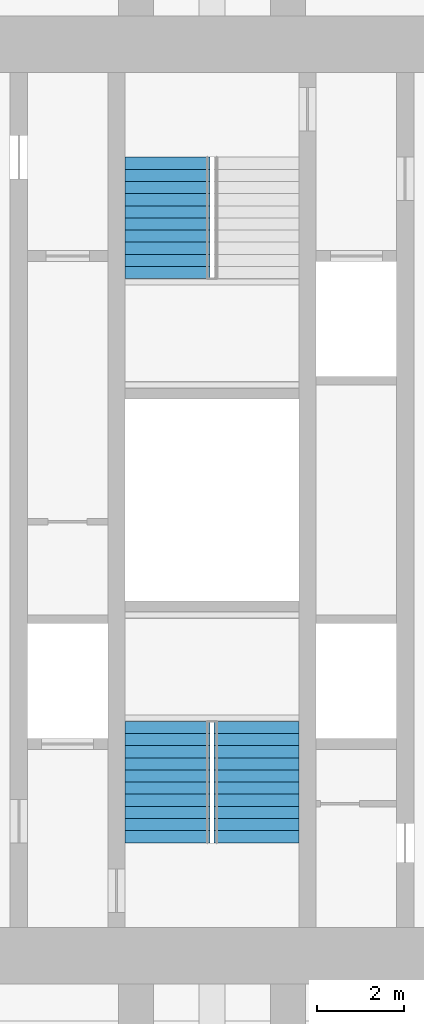
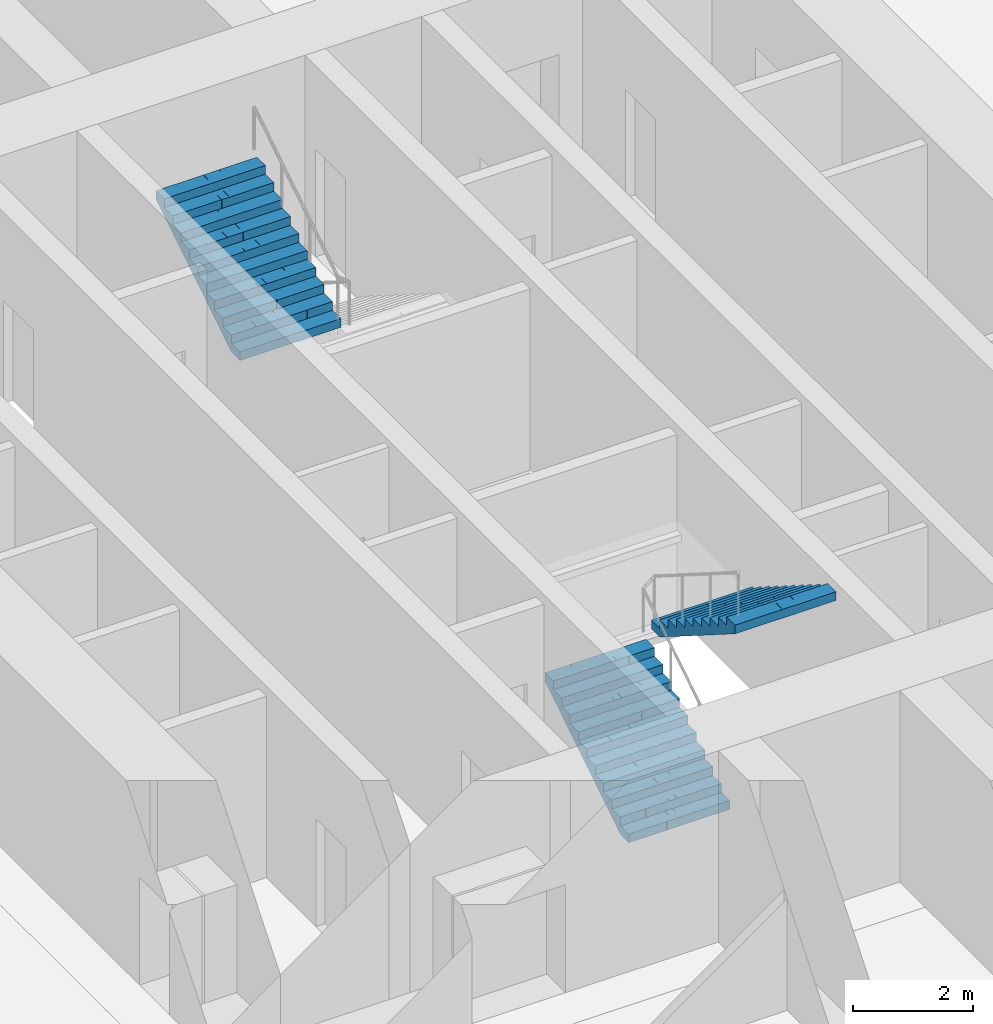
# One storey, part 20 of 22: 3 stair flights, 2 elements without a shape of their own.
"""IFC4 building model written with IfcOpenShell, lengths in metres."""

from ifc_helpers import new_model, si_unit, direction, frame, origin, place, context, subcontext, project, spatial, polyline, outline, extrude, material, type_object, element, aggregate, save


model = new_model("IFC4")

# Units and contexts
model_context = context("Model", 3, precision=1e-05, world=origin(), true_north=direction((0.0, 1.0)))
body_context = subcontext(model_context, "Body", "Model", "MODEL_VIEW")
ifc_project = project(units=[si_unit("LENGTHUNIT", "METRE"), si_unit("AREAUNIT", "SQUARE_METRE"), si_unit("VOLUMEUNIT", "CUBIC_METRE"), si_unit("PLANEANGLEUNIT", "RADIAN"), si_unit("MASSUNIT", "GRAM", prefix="KILO")], contexts=[model_context])

# Site, building, storey
site_placement = place(None, origin())
site = spatial("IfcSite", under=ifc_project, at=site_placement, CompositionType="ELEMENT")
building_placement = place(site_placement, origin())
building = spatial("IfcBuilding", under=site, at=building_placement, Name="Mizan Broadcast Tower", CompositionType="ELEMENT")
storey_placement = place(building_placement, frame((0.0, 0.0, 94.199951171875)))
storey = spatial("IfcBuildingStorey", under=building, at=storey_placement, Name="L20", CompositionType="ELEMENT", Elevation=94.199951171875)

# Stair, stair flights
ifc_material_1 = material(Name="Concrete C40/50", Category="concrete")
stair_type = type_object("IfcStairType", Name="EXIT STAIR", PredefinedType="HALF_TURN_STAIR", material=ifc_material_1)
stair_1_placement = place(storey_placement, origin())
stair_1 = element("IfcStair", 1, at=stair_1_placement, inside=storey, type_object=stair_type, Name="Stair A L20", PredefinedType="HALF_TURN_STAIR")
ifc_material_2 = material(Name="Concrete C40/50", Category="concrete")
stair_flight_type = type_object("IfcStairFlightType", Name="EXIT STAIR FLIGHT", PredefinedType="STRAIGHT", material=ifc_material_2)
stair_flight_1_placement = place(storey_placement, frame((-1.02490234375, -7.89990234375, 0.0), z_axis=(0.0, 0.0, 1.0), x_axis=(0.0, 1.0, 0.0)))
stair_flight_1 = element("IfcStairFlight", 2, at=stair_flight_1_placement, type_object=stair_flight_type, Name="A flight 1", NumberOfRisers=11, NumberOfTreads=10, PredefinedType="STRAIGHT", RiserHeight=0.177272727, TreadLength=0.28, context=body_context, shape_type="SweptSolid", body=[
    extrude(outline(polyline([(0.0, 0.0), (0.0, 0.17724609375), (0.280029296875, 0.17724609375), (0.280029296875, 0.3544921875), (0.56005859375, 0.3544921875), (0.56005859375, 0.53173828125), (0.840087890625, 0.53173828125), (0.840087890625, 0.708984375), (1.1201171875, 0.708984375), (1.1201171875, 0.886474609375), (1.39990234375, 0.886474609375), (1.39990234375, 1.063720703125), (1.679931640625, 1.063720703125), (1.679931640625, 1.240966796875), (1.9599609375, 1.240966796875), (1.9599609375, 1.418212890625), (2.239990234375, 1.418212890625), (2.239990234375, 1.595458984375), (2.52001953125, 1.595458984375), (2.52001953125, 1.772705078125), (2.800048828125, 1.772705078125), (2.800048828125, 1.949951171875), (2.800048828125, 1.59521484375), (0.2802734375, 0.0), (0.0, 0.0)])), frame((0.0, 0.97509765625, 0.0), z_axis=(0.0, -1.0, 0.0), x_axis=(1.0, 0.0, 0.0)), (0.0, 0.0, 1.0), 0.4873046875),
    extrude(outline(polyline([(0.0, 0.0), (0.0, 0.17724609375), (0.280029296875, 0.17724609375), (0.280029296875, 0.3544921875), (0.56005859375, 0.3544921875), (0.56005859375, 0.53173828125), (0.840087890625, 0.53173828125), (0.840087890625, 0.708984375), (1.1201171875, 0.708984375), (1.1201171875, 0.886474609375), (1.39990234375, 0.886474609375), (1.39990234375, 1.063720703125), (1.679931640625, 1.063720703125), (1.679931640625, 1.240966796875), (1.9599609375, 1.240966796875), (1.9599609375, 1.418212890625), (2.239990234375, 1.418212890625), (2.239990234375, 1.595458984375), (2.52001953125, 1.595458984375), (2.52001953125, 1.772705078125), (2.800048828125, 1.772705078125), (2.800048828125, 1.949951171875), (2.800048828125, 1.59521484375), (0.2802734375, 0.0), (0.0, 0.0)])), frame((0.0, 0.4873046875, 0.0), z_axis=(0.0, -1.0, 0.0), x_axis=(1.0, 0.0, 0.0)), (0.0, 0.0, 1.0), 0.2431640625),
    extrude(outline(polyline([(0.0, 0.0), (0.0, 0.17724609375), (0.280029296875, 0.17724609375), (0.280029296875, 0.3544921875), (0.56005859375, 0.3544921875), (0.56005859375, 0.53173828125), (0.840087890625, 0.53173828125), (0.840087890625, 0.708984375), (1.1201171875, 0.708984375), (1.1201171875, 0.886474609375), (1.39990234375, 0.886474609375), (1.39990234375, 1.063720703125), (1.679931640625, 1.063720703125), (1.679931640625, 1.240966796875), (1.9599609375, 1.240966796875), (1.9599609375, 1.418212890625), (2.239990234375, 1.418212890625), (2.239990234375, 1.595458984375), (2.52001953125, 1.595458984375), (2.52001953125, 1.772705078125), (2.800048828125, 1.772705078125), (2.800048828125, 1.949951171875), (2.800048828125, 1.59521484375), (0.2802734375, 0.0), (0.0, 0.0)])), frame((0.0, 0.24365234375, 0.0), z_axis=(0.0, -1.0, 0.0), x_axis=(1.0, 0.0, 0.0)), (0.0, 0.0, 1.0), 0.121337890625),
    extrude(outline(polyline([(0.0, 0.0), (0.0, 0.17724609375), (0.280029296875, 0.17724609375), (0.280029296875, 0.3544921875), (0.56005859375, 0.3544921875), (0.56005859375, 0.53173828125), (0.840087890625, 0.53173828125), (0.840087890625, 0.708984375), (1.1201171875, 0.708984375), (1.1201171875, 0.886474609375), (1.39990234375, 0.886474609375), (1.39990234375, 1.063720703125), (1.679931640625, 1.063720703125), (1.679931640625, 1.240966796875), (1.9599609375, 1.240966796875), (1.9599609375, 1.418212890625), (2.239990234375, 1.418212890625), (2.239990234375, 1.595458984375), (2.52001953125, 1.595458984375), (2.52001953125, 1.772705078125), (2.800048828125, 1.772705078125), (2.800048828125, 1.949951171875), (2.800048828125, 1.59521484375), (0.2802734375, 0.0), (0.0, 0.0)])), frame((0.0, 0.121826171875, 0.0), z_axis=(0.0, -1.0, 0.0), x_axis=(1.0, 0.0, 0.0)), (0.0, 0.0, 1.0), 0.060546875),
    extrude(outline(polyline([(0.0, 0.0), (0.0, 0.17724609375), (0.280029296875, 0.17724609375), (0.280029296875, 0.3544921875), (0.56005859375, 0.3544921875), (0.56005859375, 0.53173828125), (0.840087890625, 0.53173828125), (0.840087890625, 0.708984375), (1.1201171875, 0.708984375), (1.1201171875, 0.886474609375), (1.39990234375, 0.886474609375), (1.39990234375, 1.063720703125), (1.679931640625, 1.063720703125), (1.679931640625, 1.240966796875), (1.9599609375, 1.240966796875), (1.9599609375, 1.418212890625), (2.239990234375, 1.418212890625), (2.239990234375, 1.595458984375), (2.52001953125, 1.595458984375), (2.52001953125, 1.772705078125), (2.800048828125, 1.772705078125), (2.800048828125, 1.949951171875), (2.800048828125, 1.59521484375), (0.2802734375, 0.0), (0.0, 0.0)])), frame((0.0, 0.060791015625, 0.0), z_axis=(0.0, -1.0, 0.0), x_axis=(1.0, 0.0, 0.0)), (0.0, 0.0, 1.0), 0.030029296875),
    extrude(outline(polyline([(0.0, 0.0), (0.0, 0.17724609375), (0.280029296875, 0.17724609375), (0.280029296875, 0.3544921875), (0.56005859375, 0.3544921875), (0.56005859375, 0.53173828125), (0.840087890625, 0.53173828125), (0.840087890625, 0.708984375), (1.1201171875, 0.708984375), (1.1201171875, 0.886474609375), (1.39990234375, 0.886474609375), (1.39990234375, 1.063720703125), (1.679931640625, 1.063720703125), (1.679931640625, 1.240966796875), (1.9599609375, 1.240966796875), (1.9599609375, 1.418212890625), (2.239990234375, 1.418212890625), (2.239990234375, 1.595458984375), (2.52001953125, 1.595458984375), (2.52001953125, 1.772705078125), (2.800048828125, 1.772705078125), (2.800048828125, 1.949951171875), (2.800048828125, 1.59521484375), (0.2802734375, 0.0), (0.0, 0.0)])), frame((0.0, 0.0302734375, 0.0), z_axis=(0.0, -1.0, 0.0), x_axis=(1.0, 0.0, 0.0)), (0.0, 0.0, 1.0), 0.060302734375),
    extrude(outline(polyline([(0.0, 0.0), (0.0, 0.17724609375), (0.280029296875, 0.17724609375), (0.280029296875, 0.3544921875), (0.56005859375, 0.3544921875), (0.56005859375, 0.53173828125), (0.840087890625, 0.53173828125), (0.840087890625, 0.708984375), (1.1201171875, 0.708984375), (1.1201171875, 0.886474609375), (1.39990234375, 0.886474609375), (1.39990234375, 1.063720703125), (1.679931640625, 1.063720703125), (1.679931640625, 1.240966796875), (1.9599609375, 1.240966796875), (1.9599609375, 1.418212890625), (2.239990234375, 1.418212890625), (2.239990234375, 1.595458984375), (2.52001953125, 1.595458984375), (2.52001953125, 1.772705078125), (2.800048828125, 1.772705078125), (2.800048828125, 1.949951171875), (2.800048828125, 1.59521484375), (0.2802734375, 0.0), (0.0, 0.0)])), frame((0.0, -0.030517578125, 0.0), z_axis=(0.0, -1.0, 0.0), x_axis=(1.0, 0.0, 0.0)), (0.0, 0.0, 1.0), 0.030029296875),
    extrude(outline(polyline([(0.0, 0.0), (0.0, 0.17724609375), (0.280029296875, 0.17724609375), (0.280029296875, 0.3544921875), (0.56005859375, 0.3544921875), (0.56005859375, 0.53173828125), (0.840087890625, 0.53173828125), (0.840087890625, 0.708984375), (1.1201171875, 0.708984375), (1.1201171875, 0.886474609375), (1.39990234375, 0.886474609375), (1.39990234375, 1.063720703125), (1.679931640625, 1.063720703125), (1.679931640625, 1.240966796875), (1.9599609375, 1.240966796875), (1.9599609375, 1.418212890625), (2.239990234375, 1.418212890625), (2.239990234375, 1.595458984375), (2.52001953125, 1.595458984375), (2.52001953125, 1.772705078125), (2.800048828125, 1.772705078125), (2.800048828125, 1.949951171875), (2.800048828125, 1.59521484375), (0.2802734375, 0.0), (0.0, 0.0)])), frame((0.0, -0.06103515625, 0.0), z_axis=(0.0, -1.0, 0.0), x_axis=(1.0, 0.0, 0.0)), (0.0, 0.0, 1.0), 0.060546875),
    extrude(outline(polyline([(0.0, 0.0), (0.0, 0.17724609375), (0.280029296875, 0.17724609375), (0.280029296875, 0.3544921875), (0.56005859375, 0.3544921875), (0.56005859375, 0.53173828125), (0.840087890625, 0.53173828125), (0.840087890625, 0.708984375), (1.1201171875, 0.708984375), (1.1201171875, 0.886474609375), (1.39990234375, 0.886474609375), (1.39990234375, 1.063720703125), (1.679931640625, 1.063720703125), (1.679931640625, 1.240966796875), (1.9599609375, 1.240966796875), (1.9599609375, 1.418212890625), (2.239990234375, 1.418212890625), (2.239990234375, 1.595458984375), (2.52001953125, 1.595458984375), (2.52001953125, 1.772705078125), (2.800048828125, 1.772705078125), (2.800048828125, 1.949951171875), (2.800048828125, 1.59521484375), (0.2802734375, 0.0), (0.0, 0.0)])), frame((0.0, -0.1220703125, 0.0), z_axis=(0.0, -1.0, 0.0), x_axis=(1.0, 0.0, 0.0)), (0.0, 0.0, 1.0), 0.121337890625),
    extrude(outline(polyline([(0.0, 0.0), (0.0, 0.17724609375), (0.280029296875, 0.17724609375), (0.280029296875, 0.3544921875), (0.56005859375, 0.3544921875), (0.56005859375, 0.53173828125), (0.840087890625, 0.53173828125), (0.840087890625, 0.708984375), (1.1201171875, 0.708984375), (1.1201171875, 0.886474609375), (1.39990234375, 0.886474609375), (1.39990234375, 1.063720703125), (1.679931640625, 1.063720703125), (1.679931640625, 1.240966796875), (1.9599609375, 1.240966796875), (1.9599609375, 1.418212890625), (2.239990234375, 1.418212890625), (2.239990234375, 1.595458984375), (2.52001953125, 1.595458984375), (2.52001953125, 1.772705078125), (2.800048828125, 1.772705078125), (2.800048828125, 1.949951171875), (2.800048828125, 1.59521484375), (0.2802734375, 0.0), (0.0, 0.0)])), frame((0.0, -0.243896484375, 0.0), z_axis=(0.0, -1.0, 0.0), x_axis=(1.0, 0.0, 0.0)), (0.0, 0.0, 1.0), 0.2431640625),
    extrude(outline(polyline([(0.0, 0.0), (0.0, 0.17724609375), (0.280029296875, 0.17724609375), (0.280029296875, 0.3544921875), (0.56005859375, 0.3544921875), (0.56005859375, 0.53173828125), (0.840087890625, 0.53173828125), (0.840087890625, 0.708984375), (1.1201171875, 0.708984375), (1.1201171875, 0.886474609375), (1.39990234375, 0.886474609375), (1.39990234375, 1.063720703125), (1.679931640625, 1.063720703125), (1.679931640625, 1.240966796875), (1.9599609375, 1.240966796875), (1.9599609375, 1.418212890625), (2.239990234375, 1.418212890625), (2.239990234375, 1.595458984375), (2.52001953125, 1.595458984375), (2.52001953125, 1.772705078125), (2.800048828125, 1.772705078125), (2.800048828125, 1.949951171875), (2.800048828125, 1.59521484375), (0.2802734375, 0.0), (0.0, 0.0)])), frame((0.0, -0.487548828125, 0.0), z_axis=(0.0, -1.0, 0.0), x_axis=(1.0, 0.0, 0.0)), (0.0, 0.0, 1.0), 0.4873046875),
])
stair_flight_2_placement = place(storey_placement, frame((1.02490234375, -5.10009765625, 1.949951171875), z_axis=(0.0, 0.0, 1.0), x_axis=(0.0, -1.0, 0.0)))
stair_flight_2 = element("IfcStairFlight", 3, at=stair_flight_2_placement, type_object=stair_flight_type, Name="A flight 2", NumberOfRisers=11, NumberOfTreads=10, PredefinedType="STRAIGHT", RiserHeight=0.177272727, TreadLength=0.28, context=body_context, shape_type="SweptSolid", body=[
    extrude(outline(polyline([(0.0, 0.0), (0.0, 0.17724609375), (0.280029296875, 0.17724609375), (0.280029296875, 0.3544921875), (0.56005859375, 0.3544921875), (0.56005859375, 0.53173828125), (0.840087890625, 0.53173828125), (0.840087890625, 0.708984375), (1.1201171875, 0.708984375), (1.1201171875, 0.886474609375), (1.39990234375, 0.886474609375), (1.39990234375, 1.063720703125), (1.679931640625, 1.063720703125), (1.679931640625, 1.240966796875), (1.9599609375, 1.240966796875), (1.9599609375, 1.418212890625), (2.239990234375, 1.418212890625), (2.239990234375, 1.595458984375), (2.52001953125, 1.595458984375), (2.52001953125, 1.772705078125), (2.800048828125, 1.772705078125), (2.800048828125, 1.949951171875), (2.800048828125, 1.59521484375), (0.2802734375, 0.0), (0.0, 0.0)])), frame((0.0, 0.97509765625, 0.0), z_axis=(0.0, -1.0, 0.0), x_axis=(1.0, 0.0, 0.0)), (0.0, 0.0, 1.0), 0.4873046875),
    extrude(outline(polyline([(0.0, 0.0), (0.0, 0.17724609375), (0.280029296875, 0.17724609375), (0.280029296875, 0.3544921875), (0.56005859375, 0.3544921875), (0.56005859375, 0.53173828125), (0.840087890625, 0.53173828125), (0.840087890625, 0.708984375), (1.1201171875, 0.708984375), (1.1201171875, 0.886474609375), (1.39990234375, 0.886474609375), (1.39990234375, 1.063720703125), (1.679931640625, 1.063720703125), (1.679931640625, 1.240966796875), (1.9599609375, 1.240966796875), (1.9599609375, 1.418212890625), (2.239990234375, 1.418212890625), (2.239990234375, 1.595458984375), (2.52001953125, 1.595458984375), (2.52001953125, 1.772705078125), (2.800048828125, 1.772705078125), (2.800048828125, 1.949951171875), (2.800048828125, 1.59521484375), (0.2802734375, 0.0), (0.0, 0.0)])), frame((0.0, 0.4873046875, 0.0), z_axis=(0.0, -1.0, 0.0), x_axis=(1.0, 0.0, 0.0)), (0.0, 0.0, 1.0), 0.2431640625),
    extrude(outline(polyline([(0.0, 0.0), (0.0, 0.17724609375), (0.280029296875, 0.17724609375), (0.280029296875, 0.3544921875), (0.56005859375, 0.3544921875), (0.56005859375, 0.53173828125), (0.840087890625, 0.53173828125), (0.840087890625, 0.708984375), (1.1201171875, 0.708984375), (1.1201171875, 0.886474609375), (1.39990234375, 0.886474609375), (1.39990234375, 1.063720703125), (1.679931640625, 1.063720703125), (1.679931640625, 1.240966796875), (1.9599609375, 1.240966796875), (1.9599609375, 1.418212890625), (2.239990234375, 1.418212890625), (2.239990234375, 1.595458984375), (2.52001953125, 1.595458984375), (2.52001953125, 1.772705078125), (2.800048828125, 1.772705078125), (2.800048828125, 1.949951171875), (2.800048828125, 1.59521484375), (0.2802734375, 0.0), (0.0, 0.0)])), frame((0.0, 0.24365234375, 0.0), z_axis=(0.0, -1.0, 0.0), x_axis=(1.0, 0.0, 0.0)), (0.0, 0.0, 1.0), 0.121337890625),
    extrude(outline(polyline([(0.0, 0.0), (0.0, 0.17724609375), (0.280029296875, 0.17724609375), (0.280029296875, 0.3544921875), (0.56005859375, 0.3544921875), (0.56005859375, 0.53173828125), (0.840087890625, 0.53173828125), (0.840087890625, 0.708984375), (1.1201171875, 0.708984375), (1.1201171875, 0.886474609375), (1.39990234375, 0.886474609375), (1.39990234375, 1.063720703125), (1.679931640625, 1.063720703125), (1.679931640625, 1.240966796875), (1.9599609375, 1.240966796875), (1.9599609375, 1.418212890625), (2.239990234375, 1.418212890625), (2.239990234375, 1.595458984375), (2.52001953125, 1.595458984375), (2.52001953125, 1.772705078125), (2.800048828125, 1.772705078125), (2.800048828125, 1.949951171875), (2.800048828125, 1.59521484375), (0.2802734375, 0.0), (0.0, 0.0)])), frame((0.0, 0.121826171875, 0.0), z_axis=(0.0, -1.0, 0.0), x_axis=(1.0, 0.0, 0.0)), (0.0, 0.0, 1.0), 0.060546875),
    extrude(outline(polyline([(0.0, 0.0), (0.0, 0.17724609375), (0.280029296875, 0.17724609375), (0.280029296875, 0.3544921875), (0.56005859375, 0.3544921875), (0.56005859375, 0.53173828125), (0.840087890625, 0.53173828125), (0.840087890625, 0.708984375), (1.1201171875, 0.708984375), (1.1201171875, 0.886474609375), (1.39990234375, 0.886474609375), (1.39990234375, 1.063720703125), (1.679931640625, 1.063720703125), (1.679931640625, 1.240966796875), (1.9599609375, 1.240966796875), (1.9599609375, 1.418212890625), (2.239990234375, 1.418212890625), (2.239990234375, 1.595458984375), (2.52001953125, 1.595458984375), (2.52001953125, 1.772705078125), (2.800048828125, 1.772705078125), (2.800048828125, 1.949951171875), (2.800048828125, 1.59521484375), (0.2802734375, 0.0), (0.0, 0.0)])), frame((0.0, 0.060791015625, 0.0), z_axis=(0.0, -1.0, 0.0), x_axis=(1.0, 0.0, 0.0)), (0.0, 0.0, 1.0), 0.030029296875),
    extrude(outline(polyline([(0.0, 0.0), (0.0, 0.17724609375), (0.280029296875, 0.17724609375), (0.280029296875, 0.3544921875), (0.56005859375, 0.3544921875), (0.56005859375, 0.53173828125), (0.840087890625, 0.53173828125), (0.840087890625, 0.708984375), (1.1201171875, 0.708984375), (1.1201171875, 0.886474609375), (1.39990234375, 0.886474609375), (1.39990234375, 1.063720703125), (1.679931640625, 1.063720703125), (1.679931640625, 1.240966796875), (1.9599609375, 1.240966796875), (1.9599609375, 1.418212890625), (2.239990234375, 1.418212890625), (2.239990234375, 1.595458984375), (2.52001953125, 1.595458984375), (2.52001953125, 1.772705078125), (2.800048828125, 1.772705078125), (2.800048828125, 1.949951171875), (2.800048828125, 1.59521484375), (0.2802734375, 0.0), (0.0, 0.0)])), frame((0.0, 0.0302734375, 0.0), z_axis=(0.0, -1.0, 0.0), x_axis=(1.0, 0.0, 0.0)), (0.0, 0.0, 1.0), 0.060302734375),
    extrude(outline(polyline([(0.0, 0.0), (0.0, 0.17724609375), (0.280029296875, 0.17724609375), (0.280029296875, 0.3544921875), (0.56005859375, 0.3544921875), (0.56005859375, 0.53173828125), (0.840087890625, 0.53173828125), (0.840087890625, 0.708984375), (1.1201171875, 0.708984375), (1.1201171875, 0.886474609375), (1.39990234375, 0.886474609375), (1.39990234375, 1.063720703125), (1.679931640625, 1.063720703125), (1.679931640625, 1.240966796875), (1.9599609375, 1.240966796875), (1.9599609375, 1.418212890625), (2.239990234375, 1.418212890625), (2.239990234375, 1.595458984375), (2.52001953125, 1.595458984375), (2.52001953125, 1.772705078125), (2.800048828125, 1.772705078125), (2.800048828125, 1.949951171875), (2.800048828125, 1.59521484375), (0.2802734375, 0.0), (0.0, 0.0)])), frame((0.0, -0.030517578125, 0.0), z_axis=(0.0, -1.0, 0.0), x_axis=(1.0, 0.0, 0.0)), (0.0, 0.0, 1.0), 0.030029296875),
    extrude(outline(polyline([(0.0, 0.0), (0.0, 0.17724609375), (0.280029296875, 0.17724609375), (0.280029296875, 0.3544921875), (0.56005859375, 0.3544921875), (0.56005859375, 0.53173828125), (0.840087890625, 0.53173828125), (0.840087890625, 0.708984375), (1.1201171875, 0.708984375), (1.1201171875, 0.886474609375), (1.39990234375, 0.886474609375), (1.39990234375, 1.063720703125), (1.679931640625, 1.063720703125), (1.679931640625, 1.240966796875), (1.9599609375, 1.240966796875), (1.9599609375, 1.418212890625), (2.239990234375, 1.418212890625), (2.239990234375, 1.595458984375), (2.52001953125, 1.595458984375), (2.52001953125, 1.772705078125), (2.800048828125, 1.772705078125), (2.800048828125, 1.949951171875), (2.800048828125, 1.59521484375), (0.2802734375, 0.0), (0.0, 0.0)])), frame((0.0, -0.06103515625, 0.0), z_axis=(0.0, -1.0, 0.0), x_axis=(1.0, 0.0, 0.0)), (0.0, 0.0, 1.0), 0.060546875),
    extrude(outline(polyline([(0.0, 0.0), (0.0, 0.17724609375), (0.280029296875, 0.17724609375), (0.280029296875, 0.3544921875), (0.56005859375, 0.3544921875), (0.56005859375, 0.53173828125), (0.840087890625, 0.53173828125), (0.840087890625, 0.708984375), (1.1201171875, 0.708984375), (1.1201171875, 0.886474609375), (1.39990234375, 0.886474609375), (1.39990234375, 1.063720703125), (1.679931640625, 1.063720703125), (1.679931640625, 1.240966796875), (1.9599609375, 1.240966796875), (1.9599609375, 1.418212890625), (2.239990234375, 1.418212890625), (2.239990234375, 1.595458984375), (2.52001953125, 1.595458984375), (2.52001953125, 1.772705078125), (2.800048828125, 1.772705078125), (2.800048828125, 1.949951171875), (2.800048828125, 1.59521484375), (0.2802734375, 0.0), (0.0, 0.0)])), frame((0.0, -0.1220703125, 0.0), z_axis=(0.0, -1.0, 0.0), x_axis=(1.0, 0.0, 0.0)), (0.0, 0.0, 1.0), 0.121337890625),
    extrude(outline(polyline([(0.0, 0.0), (0.0, 0.17724609375), (0.280029296875, 0.17724609375), (0.280029296875, 0.3544921875), (0.56005859375, 0.3544921875), (0.56005859375, 0.53173828125), (0.840087890625, 0.53173828125), (0.840087890625, 0.708984375), (1.1201171875, 0.708984375), (1.1201171875, 0.886474609375), (1.39990234375, 0.886474609375), (1.39990234375, 1.063720703125), (1.679931640625, 1.063720703125), (1.679931640625, 1.240966796875), (1.9599609375, 1.240966796875), (1.9599609375, 1.418212890625), (2.239990234375, 1.418212890625), (2.239990234375, 1.595458984375), (2.52001953125, 1.595458984375), (2.52001953125, 1.772705078125), (2.800048828125, 1.772705078125), (2.800048828125, 1.949951171875), (2.800048828125, 1.59521484375), (0.2802734375, 0.0), (0.0, 0.0)])), frame((0.0, -0.243896484375, 0.0), z_axis=(0.0, -1.0, 0.0), x_axis=(1.0, 0.0, 0.0)), (0.0, 0.0, 1.0), 0.2431640625),
    extrude(outline(polyline([(0.0, 0.0), (0.0, 0.17724609375), (0.280029296875, 0.17724609375), (0.280029296875, 0.3544921875), (0.56005859375, 0.3544921875), (0.56005859375, 0.53173828125), (0.840087890625, 0.53173828125), (0.840087890625, 0.708984375), (1.1201171875, 0.708984375), (1.1201171875, 0.886474609375), (1.39990234375, 0.886474609375), (1.39990234375, 1.063720703125), (1.679931640625, 1.063720703125), (1.679931640625, 1.240966796875), (1.9599609375, 1.240966796875), (1.9599609375, 1.418212890625), (2.239990234375, 1.418212890625), (2.239990234375, 1.595458984375), (2.52001953125, 1.595458984375), (2.52001953125, 1.772705078125), (2.800048828125, 1.772705078125), (2.800048828125, 1.949951171875), (2.800048828125, 1.59521484375), (0.2802734375, 0.0), (0.0, 0.0)])), frame((0.0, -0.487548828125, 0.0), z_axis=(0.0, -1.0, 0.0), x_axis=(1.0, 0.0, 0.0)), (0.0, 0.0, 1.0), 0.4873046875),
])
aggregate(stair_1, [stair_flight_1, stair_flight_2])

# Stair, stair flight
stair_2_placement = place(storey_placement, origin())
stair_2 = element("IfcStair", 4, at=stair_2_placement, inside=storey, type_object=stair_type, Name="Stair B L20", PredefinedType="HALF_TURN_STAIR")
stair_flight_3_placement = place(storey_placement, frame((-1.02490234375, 5.10009765625, 1.949951171875), z_axis=(0.0, 0.0, 1.0), x_axis=(0.0, 1.0, 0.0)))
stair_flight_3 = element("IfcStairFlight", 5, at=stair_flight_3_placement, type_object=stair_flight_type, Name="B flight 2", NumberOfRisers=11, NumberOfTreads=10, PredefinedType="STRAIGHT", RiserHeight=0.177272727, TreadLength=0.28, context=body_context, shape_type="SweptSolid", body=[
    extrude(outline(polyline([(0.0, 0.0), (0.0, 0.17724609375), (0.280029296875, 0.17724609375), (0.280029296875, 0.3544921875), (0.56005859375, 0.3544921875), (0.56005859375, 0.53173828125), (0.840087890625, 0.53173828125), (0.840087890625, 0.708984375), (1.1201171875, 0.708984375), (1.1201171875, 0.886474609375), (1.39990234375, 0.886474609375), (1.39990234375, 1.063720703125), (1.679931640625, 1.063720703125), (1.679931640625, 1.240966796875), (1.9599609375, 1.240966796875), (1.9599609375, 1.418212890625), (2.239990234375, 1.418212890625), (2.239990234375, 1.595458984375), (2.52001953125, 1.595458984375), (2.52001953125, 1.772705078125), (2.800048828125, 1.772705078125), (2.800048828125, 1.949951171875), (2.800048828125, 1.59521484375), (0.2802734375, 0.0), (0.0, 0.0)])), frame((0.0, 0.97509765625, 0.0), z_axis=(0.0, -1.0, 0.0), x_axis=(1.0, 0.0, 0.0)), (0.0, 0.0, 1.0), 0.4873046875),
    extrude(outline(polyline([(0.0, 0.0), (0.0, 0.17724609375), (0.280029296875, 0.17724609375), (0.280029296875, 0.3544921875), (0.56005859375, 0.3544921875), (0.56005859375, 0.53173828125), (0.840087890625, 0.53173828125), (0.840087890625, 0.708984375), (1.1201171875, 0.708984375), (1.1201171875, 0.886474609375), (1.39990234375, 0.886474609375), (1.39990234375, 1.063720703125), (1.679931640625, 1.063720703125), (1.679931640625, 1.240966796875), (1.9599609375, 1.240966796875), (1.9599609375, 1.418212890625), (2.239990234375, 1.418212890625), (2.239990234375, 1.595458984375), (2.52001953125, 1.595458984375), (2.52001953125, 1.772705078125), (2.800048828125, 1.772705078125), (2.800048828125, 1.949951171875), (2.800048828125, 1.59521484375), (0.2802734375, 0.0), (0.0, 0.0)])), frame((0.0, 0.4873046875, 0.0), z_axis=(0.0, -1.0, 0.0), x_axis=(1.0, 0.0, 0.0)), (0.0, 0.0, 1.0), 0.2431640625),
    extrude(outline(polyline([(0.0, 0.0), (0.0, 0.17724609375), (0.280029296875, 0.17724609375), (0.280029296875, 0.3544921875), (0.56005859375, 0.3544921875), (0.56005859375, 0.53173828125), (0.840087890625, 0.53173828125), (0.840087890625, 0.708984375), (1.1201171875, 0.708984375), (1.1201171875, 0.886474609375), (1.39990234375, 0.886474609375), (1.39990234375, 1.063720703125), (1.679931640625, 1.063720703125), (1.679931640625, 1.240966796875), (1.9599609375, 1.240966796875), (1.9599609375, 1.418212890625), (2.239990234375, 1.418212890625), (2.239990234375, 1.595458984375), (2.52001953125, 1.595458984375), (2.52001953125, 1.772705078125), (2.800048828125, 1.772705078125), (2.800048828125, 1.949951171875), (2.800048828125, 1.59521484375), (0.2802734375, 0.0), (0.0, 0.0)])), frame((0.0, 0.24365234375, 0.0), z_axis=(0.0, -1.0, 0.0), x_axis=(1.0, 0.0, 0.0)), (0.0, 0.0, 1.0), 0.121337890625),
    extrude(outline(polyline([(0.0, 0.0), (0.0, 0.17724609375), (0.280029296875, 0.17724609375), (0.280029296875, 0.3544921875), (0.56005859375, 0.3544921875), (0.56005859375, 0.53173828125), (0.840087890625, 0.53173828125), (0.840087890625, 0.708984375), (1.1201171875, 0.708984375), (1.1201171875, 0.886474609375), (1.39990234375, 0.886474609375), (1.39990234375, 1.063720703125), (1.679931640625, 1.063720703125), (1.679931640625, 1.240966796875), (1.9599609375, 1.240966796875), (1.9599609375, 1.418212890625), (2.239990234375, 1.418212890625), (2.239990234375, 1.595458984375), (2.52001953125, 1.595458984375), (2.52001953125, 1.772705078125), (2.800048828125, 1.772705078125), (2.800048828125, 1.949951171875), (2.800048828125, 1.59521484375), (0.2802734375, 0.0), (0.0, 0.0)])), frame((0.0, 0.121826171875, 0.0), z_axis=(0.0, -1.0, 0.0), x_axis=(1.0, 0.0, 0.0)), (0.0, 0.0, 1.0), 0.060546875),
    extrude(outline(polyline([(0.0, 0.0), (0.0, 0.17724609375), (0.280029296875, 0.17724609375), (0.280029296875, 0.3544921875), (0.56005859375, 0.3544921875), (0.56005859375, 0.53173828125), (0.840087890625, 0.53173828125), (0.840087890625, 0.708984375), (1.1201171875, 0.708984375), (1.1201171875, 0.886474609375), (1.39990234375, 0.886474609375), (1.39990234375, 1.063720703125), (1.679931640625, 1.063720703125), (1.679931640625, 1.240966796875), (1.9599609375, 1.240966796875), (1.9599609375, 1.418212890625), (2.239990234375, 1.418212890625), (2.239990234375, 1.595458984375), (2.52001953125, 1.595458984375), (2.52001953125, 1.772705078125), (2.800048828125, 1.772705078125), (2.800048828125, 1.949951171875), (2.800048828125, 1.59521484375), (0.2802734375, 0.0), (0.0, 0.0)])), frame((0.0, 0.060791015625, 0.0), z_axis=(0.0, -1.0, 0.0), x_axis=(1.0, 0.0, 0.0)), (0.0, 0.0, 1.0), 0.030029296875),
    extrude(outline(polyline([(0.0, 0.0), (0.0, 0.17724609375), (0.280029296875, 0.17724609375), (0.280029296875, 0.3544921875), (0.56005859375, 0.3544921875), (0.56005859375, 0.53173828125), (0.840087890625, 0.53173828125), (0.840087890625, 0.708984375), (1.1201171875, 0.708984375), (1.1201171875, 0.886474609375), (1.39990234375, 0.886474609375), (1.39990234375, 1.063720703125), (1.679931640625, 1.063720703125), (1.679931640625, 1.240966796875), (1.9599609375, 1.240966796875), (1.9599609375, 1.418212890625), (2.239990234375, 1.418212890625), (2.239990234375, 1.595458984375), (2.52001953125, 1.595458984375), (2.52001953125, 1.772705078125), (2.800048828125, 1.772705078125), (2.800048828125, 1.949951171875), (2.800048828125, 1.59521484375), (0.2802734375, 0.0), (0.0, 0.0)])), frame((0.0, 0.0302734375, 0.0), z_axis=(0.0, -1.0, 0.0), x_axis=(1.0, 0.0, 0.0)), (0.0, 0.0, 1.0), 0.060302734375),
    extrude(outline(polyline([(0.0, 0.0), (0.0, 0.17724609375), (0.280029296875, 0.17724609375), (0.280029296875, 0.3544921875), (0.56005859375, 0.3544921875), (0.56005859375, 0.53173828125), (0.840087890625, 0.53173828125), (0.840087890625, 0.708984375), (1.1201171875, 0.708984375), (1.1201171875, 0.886474609375), (1.39990234375, 0.886474609375), (1.39990234375, 1.063720703125), (1.679931640625, 1.063720703125), (1.679931640625, 1.240966796875), (1.9599609375, 1.240966796875), (1.9599609375, 1.418212890625), (2.239990234375, 1.418212890625), (2.239990234375, 1.595458984375), (2.52001953125, 1.595458984375), (2.52001953125, 1.772705078125), (2.800048828125, 1.772705078125), (2.800048828125, 1.949951171875), (2.800048828125, 1.59521484375), (0.2802734375, 0.0), (0.0, 0.0)])), frame((0.0, -0.030517578125, 0.0), z_axis=(0.0, -1.0, 0.0), x_axis=(1.0, 0.0, 0.0)), (0.0, 0.0, 1.0), 0.030029296875),
    extrude(outline(polyline([(0.0, 0.0), (0.0, 0.17724609375), (0.280029296875, 0.17724609375), (0.280029296875, 0.3544921875), (0.56005859375, 0.3544921875), (0.56005859375, 0.53173828125), (0.840087890625, 0.53173828125), (0.840087890625, 0.708984375), (1.1201171875, 0.708984375), (1.1201171875, 0.886474609375), (1.39990234375, 0.886474609375), (1.39990234375, 1.063720703125), (1.679931640625, 1.063720703125), (1.679931640625, 1.240966796875), (1.9599609375, 1.240966796875), (1.9599609375, 1.418212890625), (2.239990234375, 1.418212890625), (2.239990234375, 1.595458984375), (2.52001953125, 1.595458984375), (2.52001953125, 1.772705078125), (2.800048828125, 1.772705078125), (2.800048828125, 1.949951171875), (2.800048828125, 1.59521484375), (0.2802734375, 0.0), (0.0, 0.0)])), frame((0.0, -0.06103515625, 0.0), z_axis=(0.0, -1.0, 0.0), x_axis=(1.0, 0.0, 0.0)), (0.0, 0.0, 1.0), 0.060546875),
    extrude(outline(polyline([(0.0, 0.0), (0.0, 0.17724609375), (0.280029296875, 0.17724609375), (0.280029296875, 0.3544921875), (0.56005859375, 0.3544921875), (0.56005859375, 0.53173828125), (0.840087890625, 0.53173828125), (0.840087890625, 0.708984375), (1.1201171875, 0.708984375), (1.1201171875, 0.886474609375), (1.39990234375, 0.886474609375), (1.39990234375, 1.063720703125), (1.679931640625, 1.063720703125), (1.679931640625, 1.240966796875), (1.9599609375, 1.240966796875), (1.9599609375, 1.418212890625), (2.239990234375, 1.418212890625), (2.239990234375, 1.595458984375), (2.52001953125, 1.595458984375), (2.52001953125, 1.772705078125), (2.800048828125, 1.772705078125), (2.800048828125, 1.949951171875), (2.800048828125, 1.59521484375), (0.2802734375, 0.0), (0.0, 0.0)])), frame((0.0, -0.1220703125, 0.0), z_axis=(0.0, -1.0, 0.0), x_axis=(1.0, 0.0, 0.0)), (0.0, 0.0, 1.0), 0.121337890625),
    extrude(outline(polyline([(0.0, 0.0), (0.0, 0.17724609375), (0.280029296875, 0.17724609375), (0.280029296875, 0.3544921875), (0.56005859375, 0.3544921875), (0.56005859375, 0.53173828125), (0.840087890625, 0.53173828125), (0.840087890625, 0.708984375), (1.1201171875, 0.708984375), (1.1201171875, 0.886474609375), (1.39990234375, 0.886474609375), (1.39990234375, 1.063720703125), (1.679931640625, 1.063720703125), (1.679931640625, 1.240966796875), (1.9599609375, 1.240966796875), (1.9599609375, 1.418212890625), (2.239990234375, 1.418212890625), (2.239990234375, 1.595458984375), (2.52001953125, 1.595458984375), (2.52001953125, 1.772705078125), (2.800048828125, 1.772705078125), (2.800048828125, 1.949951171875), (2.800048828125, 1.59521484375), (0.2802734375, 0.0), (0.0, 0.0)])), frame((0.0, -0.243896484375, 0.0), z_axis=(0.0, -1.0, 0.0), x_axis=(1.0, 0.0, 0.0)), (0.0, 0.0, 1.0), 0.2431640625),
    extrude(outline(polyline([(0.0, 0.0), (0.0, 0.17724609375), (0.280029296875, 0.17724609375), (0.280029296875, 0.3544921875), (0.56005859375, 0.3544921875), (0.56005859375, 0.53173828125), (0.840087890625, 0.53173828125), (0.840087890625, 0.708984375), (1.1201171875, 0.708984375), (1.1201171875, 0.886474609375), (1.39990234375, 0.886474609375), (1.39990234375, 1.063720703125), (1.679931640625, 1.063720703125), (1.679931640625, 1.240966796875), (1.9599609375, 1.240966796875), (1.9599609375, 1.418212890625), (2.239990234375, 1.418212890625), (2.239990234375, 1.595458984375), (2.52001953125, 1.595458984375), (2.52001953125, 1.772705078125), (2.800048828125, 1.772705078125), (2.800048828125, 1.949951171875), (2.800048828125, 1.59521484375), (0.2802734375, 0.0), (0.0, 0.0)])), frame((0.0, -0.487548828125, 0.0), z_axis=(0.0, -1.0, 0.0), x_axis=(1.0, 0.0, 0.0)), (0.0, 0.0, 1.0), 0.4873046875),
])
aggregate(stair_2, [stair_flight_3])

save(model, "model.ifc")
